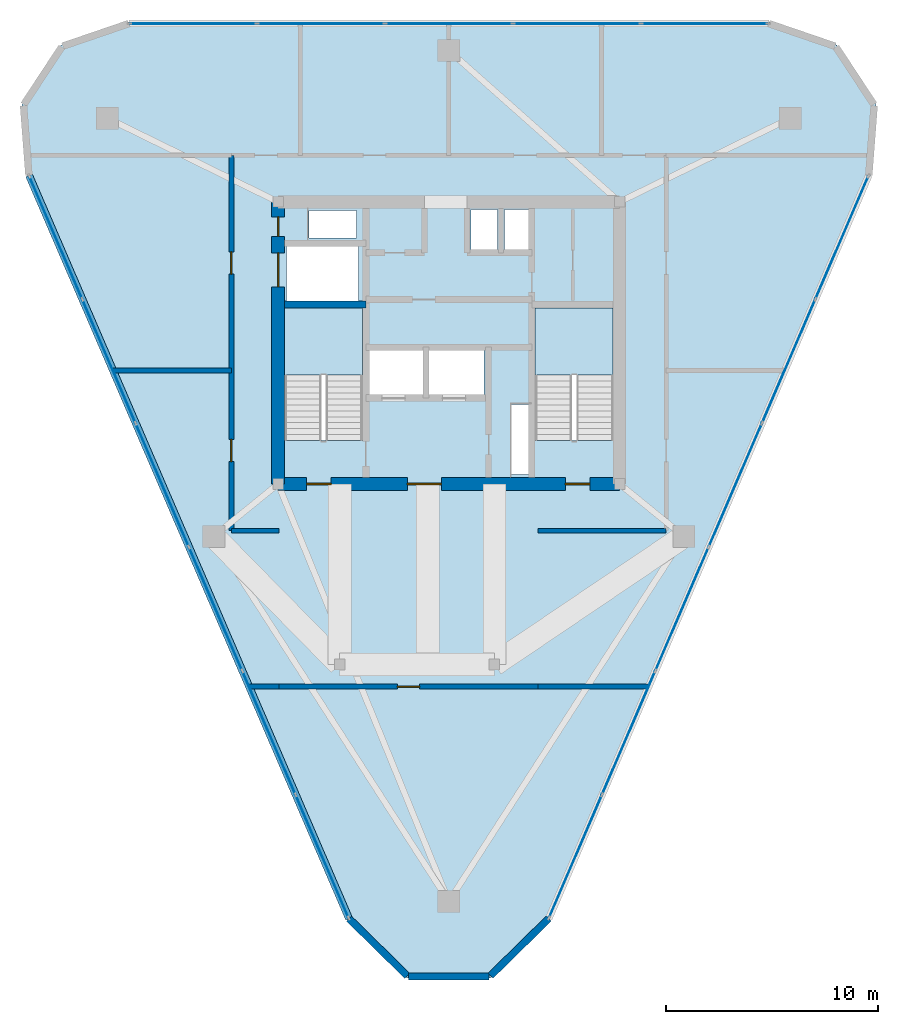
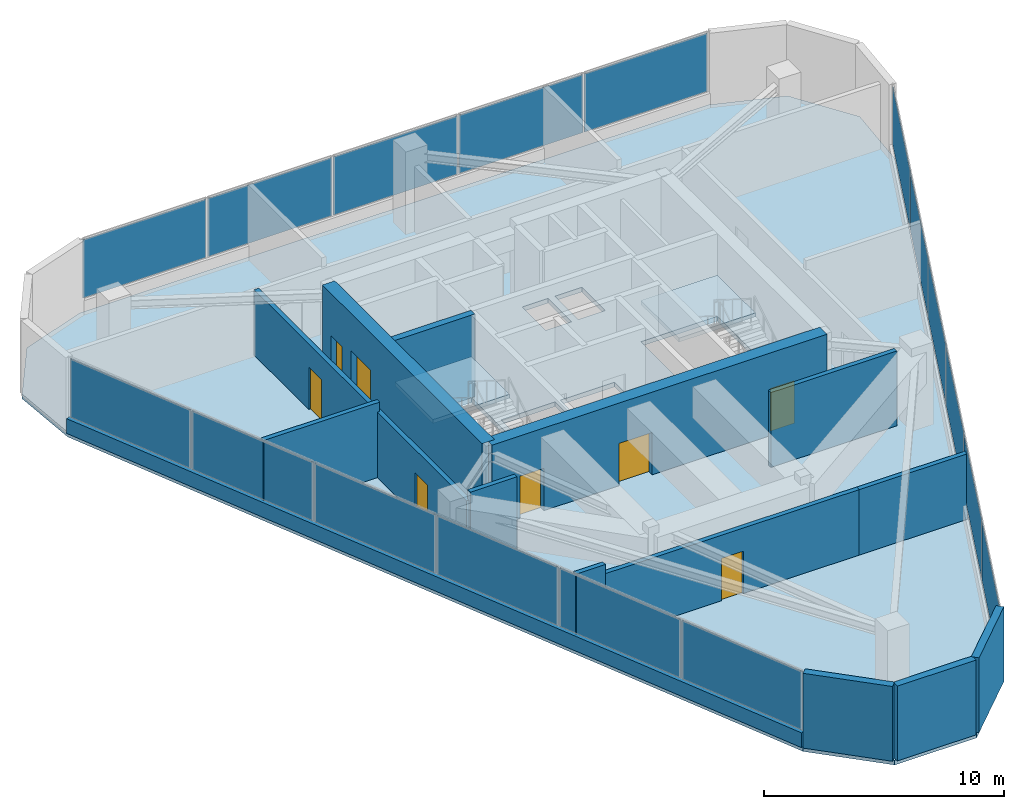
# One storey, part 4 of 7: 17 plates, 14 walls, 8 doors, 3 slabs, 8 openings, 5 elements without a shape of their own.
"""IFC4 building model written with IfcOpenShell, lengths in metres."""

from ifc_helpers import new_model, si_unit, direction, frame, frame_2d, origin, origin_2d, place, context, subcontext, project, spatial, polyline, rectangle, outline, extrude, material, layer, layer_set, type_object, element, fill, aggregate, save


model = new_model("IFC4")

# Units and contexts
model_context = context("Model", 3, precision=1e-05, world=origin(), true_north=direction((0.0, 1.0)))
body_context = subcontext(model_context, "Body", "Model", "MODEL_VIEW")
ifc_project = project(units=[si_unit("LENGTHUNIT", "METRE"), si_unit("AREAUNIT", "SQUARE_METRE"), si_unit("VOLUMEUNIT", "CUBIC_METRE"), si_unit("PLANEANGLEUNIT", "RADIAN"), si_unit("MASSUNIT", "GRAM", prefix="KILO")], contexts=[model_context])

# Site, building, storey
site_placement = place(None, origin())
site = spatial("IfcSite", under=ifc_project, at=site_placement, CompositionType="ELEMENT")
building_placement = place(site_placement, origin())
building = spatial("IfcBuilding", under=site, at=building_placement, Name="Talyreon Biosciences Tower", CompositionType="ELEMENT")
storey_placement = place(building_placement, frame((0.0, 0.0, 313.0)))
storey = spatial("IfcBuildingStorey", under=building, at=storey_placement, Name="L83", CompositionType="ELEMENT", Elevation=313.0)

# Curtain wall, plates
ifc_material_1 = material(Name="Thermally broken aluminium and low-E glazing", Category="aluminium")
ifc_layer_1 = layer(ifc_material_1, 0.2099609375)
ifc_layer_set_1 = layer_set([ifc_layer_1], Name="Thermally broken aluminium and low-E glazing")
curtain_wall_type = type_object("IfcCurtainWallType", Name="CurtainWall_SlantedCrown", PredefinedType="NOTDEFINED", material=ifc_layer_set_1)
curtain_wall_1_placement = place(storey_placement, origin())
curtain_wall_1 = element("IfcCurtainWall", 1, at=curtain_wall_1_placement, inside=storey, type_object=curtain_wall_type, Name="L83 Unitised Curtain Wall FCW-L83-03C", PredefinedType="NOTDEFINED")
ifc_material_2 = material(Name="Acoustic laminated low-E insulated glazing", Category="glass")
ifc_layer_2 = layer(ifc_material_2, 0.0380859375)
ifc_layer_set_2 = layer_set([ifc_layer_2], Name="Acoustic laminated low-E insulated glazing")
plate_type = type_object("IfcPlateType", Name="CWGlazingPanel_38", PredefinedType="CURTAIN_PANEL", material=ifc_layer_set_2)
plate_1_placement = place(storey_placement, frame((53.949462890625, 83.058837890625, 0.77490234375), z_axis=(0.0, 0.0, 1.0), x_axis=(1.0, 0.0, 0.0)))
plate_1 = element("IfcPlate", 2, at=plate_1_placement, type_object=plate_type, Name="CW8 panel 1.1", PredefinedType="CURTAIN_PANEL", context=body_context, shape_type="SweptSolid", body=[
    extrude(rectangle(XDim=5.922119140625, YDim=0.0380859375, at=origin_2d()), origin(), (0.0, 0.0, 1.0), 2.9599609375),
])
plate_2_placement = place(storey_placement, frame((59.96533203125, 83.058837890625, 0.77490234375), z_axis=(0.0, 0.0, 1.0), x_axis=(1.0, 0.0, 0.0)))
plate_2 = element("IfcPlate", 3, at=plate_2_placement, type_object=plate_type, Name="CW8 panel 2.1", PredefinedType="CURTAIN_PANEL", context=body_context, shape_type="SweptSolid", body=[
    extrude(rectangle(XDim=5.959716796875, YDim=0.0380859375, at=origin_2d()), origin(), (0.0, 0.0, 1.0), 2.9599609375),
])
plate_3_placement = place(storey_placement, frame((66.0, 83.058837890625, 0.77490234375), z_axis=(0.0, 0.0, 1.0), x_axis=(1.0, 0.0, 0.0)))
plate_3 = element("IfcPlate", 4, at=plate_3_placement, type_object=plate_type, Name="CW8 panel 3.1", PredefinedType="CURTAIN_PANEL", context=body_context, shape_type="SweptSolid", body=[
    extrude(rectangle(XDim=5.959716796875, YDim=0.0380859375, at=origin_2d()), origin(), (0.0, 0.0, 1.0), 2.9599609375),
])
plate_4_placement = place(storey_placement, frame((72.03466796875, 83.058837890625, 0.77490234375), z_axis=(0.0, 0.0, 1.0), x_axis=(1.0, 0.0, 0.0)))
plate_4 = element("IfcPlate", 5, at=plate_4_placement, type_object=plate_type, Name="CW8 panel 4.1", PredefinedType="CURTAIN_PANEL", context=body_context, shape_type="SweptSolid", body=[
    extrude(rectangle(XDim=5.959716796875, YDim=0.0380859375, at=origin_2d()), origin(), (0.0, 0.0, 1.0), 2.9599609375),
])
plate_5_placement = place(storey_placement, frame((78.050537109375, 83.058837890625, 0.77490234375), z_axis=(0.0, 0.0, 1.0), x_axis=(1.0, 0.0, 0.0)))
plate_5 = element("IfcPlate", 6, at=plate_5_placement, type_object=plate_type, Name="CW8 panel 5.1", PredefinedType="CURTAIN_PANEL", context=body_context, shape_type="SweptSolid", body=[
    extrude(rectangle(XDim=5.922119140625, YDim=0.0380859375, at=origin_2d()), origin(), (0.0, 0.0, 1.0), 2.9599609375),
])
aggregate(curtain_wall_1, [plate_1, plate_2, plate_3, plate_4, plate_5])

curtain_wall_2_placement = place(storey_placement, origin())
curtain_wall_2 = element("IfcCurtainWall", 7, at=curtain_wall_2_placement, inside=storey, type_object=curtain_wall_type, Name="L83 Unitised Curtain Wall FCW-L83-07C", PredefinedType="NOTDEFINED")
plate_6_placement = place(storey_placement, frame((84.53271484375, 72.96435546875, 0.77490234375), z_axis=(0.0, 0.0, 1.0), x_axis=(-0.395450642447, -0.918487228756, 0.0)))
plate_6 = element("IfcPlate", 8, at=plate_6_placement, type_object=plate_type, Name="CW8 panel 1.1", PredefinedType="CURTAIN_PANEL", context=body_context, shape_type="SweptSolid", body=[
    extrude(rectangle(XDim=6.246826171875, YDim=0.0380859375, at=origin_2d()), origin(), (0.0, 0.0, 1.0), 2.9599609375),
])
plate_7_placement = place(storey_placement, frame((82.025146484375, 67.140625, 0.77490234375), z_axis=(0.0, 0.0, 1.0), x_axis=(-0.395450642447, -0.918487228756, 0.0)))
plate_7 = element("IfcPlate", 9, at=plate_7_placement, type_object=plate_type, Name="CW8 panel 2.1", PredefinedType="CURTAIN_PANEL", context=body_context, shape_type="SweptSolid", body=[
    extrude(rectangle(XDim=6.2841796875, YDim=0.0380859375, at=origin_2d()), origin(), (0.0, 0.0, 1.0), 2.9599609375),
])
plate_8_placement = place(storey_placement, frame((79.510498046875, 61.2998046875, 0.77490234375), z_axis=(0.0, 0.0, 1.0), x_axis=(-0.395450642447, -0.918487228756, 0.0)))
plate_8 = element("IfcPlate", 10, at=plate_8_placement, type_object=plate_type, Name="CW8 panel 3.1", PredefinedType="CURTAIN_PANEL", context=body_context, shape_type="SweptSolid", body=[
    extrude(rectangle(XDim=6.2841796875, YDim=0.0380859375, at=origin_2d()), origin(), (0.0, 0.0, 1.0), 2.9599609375),
])
plate_9_placement = place(storey_placement, frame((76.99560546875, 55.458740234375, 0.77490234375), z_axis=(0.0, 0.0, 1.0), x_axis=(-0.395450642447, -0.918487228756, 0.0)))
plate_9 = element("IfcPlate", 11, at=plate_9_placement, type_object=plate_type, Name="CW8 panel 4.1", PredefinedType="CURTAIN_PANEL", context=body_context, shape_type="SweptSolid", body=[
    extrude(rectangle(XDim=6.2841796875, YDim=0.0380859375, at=origin_2d()), origin(), (0.0, 0.0, 1.0), 2.9599609375),
])
plate_10_placement = place(storey_placement, frame((74.48095703125, 49.617919921875, 0.77490234375), z_axis=(0.0, 0.0, 1.0), x_axis=(-0.395450642447, -0.918487228756, 0.0)))
plate_10 = element("IfcPlate", 12, at=plate_10_placement, type_object=plate_type, Name="CW8 panel 5.1", PredefinedType="CURTAIN_PANEL", context=body_context, shape_type="SweptSolid", body=[
    extrude(rectangle(XDim=6.2841796875, YDim=0.0380859375, at=origin_2d()), origin(), (0.0, 0.0, 1.0), 2.9599609375),
])
plate_11_placement = place(storey_placement, frame((71.9736328125, 43.794189453125, 0.77490234375), z_axis=(0.0, 0.0, 1.0), x_axis=(-0.395450642447, -0.918487228756, 0.0)))
plate_11 = element("IfcPlate", 13, at=plate_11_placement, type_object=plate_type, Name="CW8 panel 6.1", PredefinedType="CURTAIN_PANEL", context=body_context, shape_type="SweptSolid", body=[
    extrude(rectangle(XDim=6.246826171875, YDim=0.0380859375, at=origin_2d()), origin(), (0.0, 0.0, 1.0), 2.9599609375),
])
aggregate(curtain_wall_2, [plate_6, plate_7, plate_8, plate_9, plate_10, plate_11])

curtain_wall_3_placement = place(storey_placement, origin())
curtain_wall_3 = element("IfcCurtainWall", 14, at=curtain_wall_3_placement, inside=storey, type_object=curtain_wall_type, Name="L83 Unitised Curtain Wall FCW-L83-11C", PredefinedType="NOTDEFINED")
plate_12_placement = place(storey_placement, frame((60.0263671875, 43.794189453125, 0.77490234375), z_axis=(0.0, 0.0, 1.0), x_axis=(-0.395450642447, 0.918487228756, 0.0)))
plate_12 = element("IfcPlate", 15, at=plate_12_placement, type_object=plate_type, Name="CW8 panel 1.1", PredefinedType="CURTAIN_PANEL", context=body_context, shape_type="SweptSolid", body=[
    extrude(rectangle(XDim=6.246826171875, YDim=0.0380859375, at=origin_2d()), origin(), (0.0, 0.0, 1.0), 2.9599609375),
])
plate_13_placement = place(storey_placement, frame((57.51904296875, 49.617919921875, 0.77490234375), z_axis=(0.0, 0.0, 1.0), x_axis=(-0.395450642447, 0.918487228756, 0.0)))
plate_13 = element("IfcPlate", 16, at=plate_13_placement, type_object=plate_type, Name="CW8 panel 2.1", PredefinedType="CURTAIN_PANEL", context=body_context, shape_type="SweptSolid", body=[
    extrude(rectangle(XDim=6.2841796875, YDim=0.0380859375, at=origin_2d()), origin(), (0.0, 0.0, 1.0), 2.9599609375),
])
plate_14_placement = place(storey_placement, frame((55.00439453125, 55.458740234375, 0.77490234375), z_axis=(0.0, 0.0, 1.0), x_axis=(-0.395450642447, 0.918487228756, 0.0)))
plate_14 = element("IfcPlate", 17, at=plate_14_placement, type_object=plate_type, Name="CW8 panel 3.1", PredefinedType="CURTAIN_PANEL", context=body_context, shape_type="SweptSolid", body=[
    extrude(rectangle(XDim=6.2841796875, YDim=0.0380859375, at=origin_2d()), origin(), (0.0, 0.0, 1.0), 2.9599609375),
])
plate_15_placement = place(storey_placement, frame((52.489501953125, 61.2998046875, 0.77490234375), z_axis=(0.0, 0.0, 1.0), x_axis=(-0.395450642447, 0.918487228756, 0.0)))
plate_15 = element("IfcPlate", 18, at=plate_15_placement, type_object=plate_type, Name="CW8 panel 4.1", PredefinedType="CURTAIN_PANEL", context=body_context, shape_type="SweptSolid", body=[
    extrude(rectangle(XDim=6.2841796875, YDim=0.0380859375, at=origin_2d()), origin(), (0.0, 0.0, 1.0), 2.9599609375),
])
plate_16_placement = place(storey_placement, frame((49.974853515625, 67.140625, 0.77490234375), z_axis=(0.0, 0.0, 1.0), x_axis=(-0.395450642447, 0.918487228756, 0.0)))
plate_16 = element("IfcPlate", 19, at=plate_16_placement, type_object=plate_type, Name="CW8 panel 5.1", PredefinedType="CURTAIN_PANEL", context=body_context, shape_type="SweptSolid", body=[
    extrude(rectangle(XDim=6.2841796875, YDim=0.0380859375, at=origin_2d()), origin(), (0.0, 0.0, 1.0), 2.9599609375),
])
plate_17_placement = place(storey_placement, frame((47.46728515625, 72.96435546875, 0.77490234375), z_axis=(0.0, 0.0, 1.0), x_axis=(-0.395450642447, 0.918487228756, 0.0)))
plate_17 = element("IfcPlate", 20, at=plate_17_placement, type_object=plate_type, Name="CW8 panel 6.1", PredefinedType="CURTAIN_PANEL", context=body_context, shape_type="SweptSolid", body=[
    extrude(rectangle(XDim=6.246826171875, YDim=0.0380859375, at=origin_2d()), origin(), (0.0, 0.0, 1.0), 2.9599609375),
])
aggregate(curtain_wall_3, [plate_12, plate_13, plate_14, plate_15, plate_16, plate_17])

# Slab
ifc_material_3 = material(Name="Concrete C40/50", Category="concrete")
ifc_layer_3 = layer(ifc_material_3, 0.235107421875)
ifc_layer_set_3 = layer_set([ifc_layer_3], Name="Concrete C40/50")
slab_type_1 = type_object("IfcSlabType", Name="CrownPlantSlab_235", PredefinedType="FLOOR", material=ifc_layer_set_3)
slab_1_placement = place(storey_placement, frame((0.0, 0.0, -0.235107421875)))
element("IfcSlab", 21, at=slab_1_placement, inside=storey, type_object=slab_type_1, Name="L83 Structural Floor Slab", PredefinedType="FLOOR", context=body_context, shape_type="SweptSolid", body=[
    extrude(outline(polyline([(46.123779296875, 75.882568359375), (45.864990234375, 79.23828125), (47.71533203125, 82.049560546875), (50.89990234375, 83.138916015625), (81.10009765625, 83.138916015625), (84.28466796875, 82.049560546875), (86.135009765625, 79.23828125), (85.876220703125, 75.882568359375), (70.776123046875, 40.810546875), (67.9677734375, 38.053466796875), (64.0322265625, 38.053466796875), (61.223876953125, 40.810546875), (46.123779296875, 75.882568359375)]), holes=[polyline([(69.820068359375, 65.10009765625), (69.820068359375, 61.800048828125), (68.9599609375, 61.800048828125), (68.9599609375, 65.10009765625), (69.820068359375, 65.10009765625)]), polyline([(61.929931640625, 69.64990234375), (61.929931640625, 63.407958984375), (58.25, 63.407958984375), (58.25, 69.64990234375), (61.929931640625, 69.64990234375)]), polyline([(73.75, 69.64990234375), (73.75, 63.407958984375), (70.070068359375, 63.407958984375), (70.070068359375, 69.64990234375), (73.75, 69.64990234375)]), polyline([(64.800048828125, 67.64990234375), (64.800048828125, 65.550048828125), (62.199951171875, 65.550048828125), (62.199951171875, 67.64990234375), (64.800048828125, 67.64990234375)]), polyline([(67.64990234375, 67.64990234375), (67.64990234375, 65.550048828125), (65.050048828125, 65.550048828125), (65.050048828125, 67.64990234375), (67.64990234375, 67.64990234375)]), polyline([(61.75, 72.550048828125), (61.75, 69.97998046875), (58.35009765625, 69.97998046875), (58.35009765625, 72.550048828125), (61.75, 72.550048828125)]), polyline([(68.300048828125, 74.300048828125), (68.300048828125, 72.35009765625), (67.050048828125, 72.35009765625), (67.050048828125, 74.300048828125), (68.300048828125, 74.300048828125)]), polyline([(69.919921875, 72.35009765625), (68.6201171875, 72.35009765625), (68.6201171875, 74.300048828125), (69.919921875, 74.300048828125), (69.919921875, 72.35009765625)]), polyline([(61.64990234375, 72.9599609375), (59.39990234375, 72.9599609375), (59.39990234375, 74.25), (61.64990234375, 74.25), (61.64990234375, 72.9599609375)])]), origin(), (0.0, 0.0, 1.0), 0.235107421875),
])

# Stair, slab
stair_type = type_object("IfcStairType", Name="DoglegEscapeStair_4200", PredefinedType="HALF_TURN_STAIR", material=ifc_material_3)
stair_1_placement = place(storey_placement, origin())
stair_1 = element("IfcStair", 22, at=stair_1_placement, inside=storey, type_object=stair_type, Name="L83 Core Escape Stair 1", PredefinedType="HALF_TURN_STAIR")
ifc_layer_4 = layer(ifc_material_3, 0.199951171875)
ifc_layer_set_4 = layer_set([ifc_layer_4], Name="Concrete C40/50")
slab_type_2 = type_object("IfcSlabType", Name="StairLandingSlab_200", PredefinedType="LANDING", material=ifc_layer_set_4)
slab_2_placement = place(storey_placement, frame((0.0, 0.0, 1.89990234375)))
slab_2 = element("IfcSlab", 23, at=slab_2_placement, type_object=slab_type_2, Name="ST-1 landing 1", PredefinedType="LANDING", context=body_context, shape_type="SweptSolid", body=[
    extrude(outline(polyline([(61.929931640625, 66.47998046875), (61.929931640625, 69.64990234375), (58.25, 69.64990234375), (58.25, 66.47998046875), (61.929931640625, 66.47998046875)])), origin(), (0.0, 0.0, 1.0), 0.2001953125),
])
aggregate(stair_1, [slab_2])

stair_2_placement = place(storey_placement, origin())
stair_2 = element("IfcStair", 24, at=stair_2_placement, inside=storey, type_object=stair_type, Name="L83 Core Escape Stair 2", PredefinedType="HALF_TURN_STAIR")
slab_3_placement = place(storey_placement, frame((0.0, 0.0, 1.89990234375)))
slab_3 = element("IfcSlab", 25, at=slab_3_placement, type_object=slab_type_2, Name="ST-2 landing 1", PredefinedType="LANDING", context=body_context, shape_type="SweptSolid", body=[
    extrude(outline(polyline([(73.75, 66.47998046875), (73.75, 69.64990234375), (70.070068359375, 69.64990234375), (70.070068359375, 66.47998046875), (73.75, 66.47998046875)])), origin(), (0.0, 0.0, 1.0), 0.2001953125),
])
aggregate(stair_2, [slab_3])

# Wall
ifc_material_4 = material(Name="Concrete C50/60", Category="concrete")
ifc_layer_5 = layer(ifc_material_4, 0.320068359375)
ifc_layer_set_5 = layer_set([ifc_layer_5], Name="Concrete C50/60")
wall_type_1 = type_object("IfcWallType", Name="CoreShearWall_320", PredefinedType="SHEAR", material=ifc_layer_set_5)
wall_1_placement = place(storey_placement, frame((58.25, 69.81005859375, 0.0), z_axis=(0.0, 0.0, 1.0), x_axis=(1.0, 0.0, 0.0)))
element("IfcWall", 26, at=wall_1_placement, inside=storey, type_object=wall_type_1, Name="L83 Core Shaft Wall SW1N", PredefinedType="SHEAR", context=body_context, shape_type="SweptSolid", body=[
    extrude(rectangle(XDim=3.840087890625, YDim=0.320068359375, at=frame_2d((1.919921875, 0.0))), origin(), (0.0, 0.0, 1.0), 4.199951171875),
])

# Wall, openings, doors
ifc_layer_6 = layer(ifc_material_4, 0.60009765625)
ifc_layer_set_6 = layer_set([ifc_layer_6], Name="Concrete C50/60")
wall_type_2 = type_object("IfcWallType", Name="CoreShearWall_600", PredefinedType="SHEAR", material=ifc_layer_set_6)
wall_2_placement = place(storey_placement, frame((57.949951171875, 61.35009765625, 0.0), z_axis=(0.0, 0.0, 1.0), x_axis=(1.0, 0.0, 0.0)))
wall_2 = element("IfcWall", 27, at=wall_2_placement, inside=storey, type_object=wall_type_2, Name="L83 Core Shear Wall S", PredefinedType="SHEAR", context=body_context, shape_type="SweptSolid", body=[
    extrude(rectangle(XDim=16.10009765625, YDim=0.60009765625, at=frame_2d((8.050048828125, 0.0))), origin(), (0.0, 0.0, 1.0), 4.199951171875),
])
opening_1_placement = place(wall_2_placement, frame((1.35009765625, 0.0, 0.0)))
opening_1 = element("IfcOpeningElement", 28, at=opening_1_placement, cuts=wall_2, Name="Opening DR-L83-ST1", PredefinedType="OPENING", context=body_context, shape_type="SweptSolid", body=[
    extrude(rectangle(XDim=1.14990234375, YDim=2.14990234375, at=frame_2d((0.574951171875, 1.074951171875))), frame((0.0, 0.31005859375, 0.0), z_axis=(0.0, -1.0, 0.0), x_axis=(1.0, 0.0, 0.0)), (0.0, 0.0, 1.0), 0.6201171875),
])
opening_2_placement = place(wall_2_placement, frame((6.10009765625, 0.0, 0.0)))
opening_2 = element("IfcOpeningElement", 29, at=opening_2_placement, cuts=wall_2, Name="Opening DR-L83-FFL", PredefinedType="OPENING", context=body_context, shape_type="SweptSolid", body=[
    extrude(rectangle(XDim=1.60009765625, YDim=2.14990234375, at=frame_2d((0.800048828125, 1.074951171875))), frame((0.0, 0.31005859375, 0.0), z_axis=(0.0, -1.0, 0.0), x_axis=(1.0, 0.0, 0.0)), (0.0, 0.0, 1.0), 0.6201171875),
])
opening_3_placement = place(wall_2_placement, frame((13.550048828125, 0.0, 0.0)))
opening_3 = element("IfcOpeningElement", 30, at=opening_3_placement, cuts=wall_2, Name="Opening DR-L83-ST2", PredefinedType="OPENING", context=body_context, shape_type="SweptSolid", body=[
    extrude(rectangle(XDim=1.14990234375, YDim=2.14990234375, at=frame_2d((0.574951171875, 1.074951171875))), frame((0.0, 0.31005859375, 0.0), z_axis=(0.0, -1.0, 0.0), x_axis=(1.0, 0.0, 0.0)), (0.0, 0.0, 1.0), 0.6201171875),
])
ifc_material_5 = material(Name="Painted steel smoke-seal fire door", Category="steel")
door_type_1 = type_object("IfcDoorType", Name="FirefightingLobbyDoubleDoor_1600x2150", OperationType="DOUBLE_DOOR_SINGLE_SWING", PredefinedType="DOOR", material=ifc_material_5)
door_1_placement = place(opening_2_placement, origin())
door_1 = element("IfcDoor", 31, at=door_1_placement, inside=storey, type_object=door_type_1, Name="L83 Core Door DR-L83-FFL", OperationType="DOUBLE_DOOR_SINGLE_SWING", OverallHeight=2.14990234375, OverallWidth=1.60009765625, PredefinedType="DOOR", context=body_context, shape_type="SweptSolid", body=[
    extrude(rectangle(XDim=1.60009765625, YDim=2.14990234375, at=frame_2d((0.800048828125, 1.074951171875))), frame((0.0, 0.02490234375, 0.0), z_axis=(0.0, -1.0, 0.0), x_axis=(1.0, 0.0, 0.0)), (0.0, 0.0, 1.0), 0.050048828125),
])
fill(opening_2, door_1)
ifc_material_6 = material(Name="Painted steel fire door", Category="steel")
door_type_2 = type_object("IfcDoorType", Name="StairShaftFireDoor_1150x2150", OperationType="NOTDEFINED", PredefinedType="DOOR", material=ifc_material_6)
door_2_placement = place(opening_1_placement, origin())
door_2 = element("IfcDoor", 32, at=door_2_placement, inside=storey, type_object=door_type_2, Name="L83 Core Door DR-L83-ST1", OperationType="SINGLE_SWING_LEFT", OverallHeight=2.14990234375, OverallWidth=1.14990234375, PredefinedType="DOOR", context=body_context, shape_type="SweptSolid", body=[
    extrude(rectangle(XDim=1.14990234375, YDim=2.14990234375, at=frame_2d((0.574951171875, 1.074951171875))), frame((0.0, 0.02490234375, 0.0), z_axis=(0.0, -1.0, 0.0), x_axis=(1.0, 0.0, 0.0)), (0.0, 0.0, 1.0), 0.050048828125),
])
fill(opening_1, door_2)
door_3_placement = place(opening_3_placement, origin())
door_3 = element("IfcDoor", 33, at=door_3_placement, inside=storey, type_object=door_type_2, Name="L83 Core Door DR-L83-ST2", OperationType="SINGLE_SWING_RIGHT", OverallHeight=2.14990234375, OverallWidth=1.14990234375, PredefinedType="DOOR", context=body_context, shape_type="SweptSolid", body=[
    extrude(rectangle(XDim=1.14990234375, YDim=2.14990234375, at=frame_2d((0.574951171875, 1.074951171875))), frame((0.0, 0.02490234375, 0.0), z_axis=(0.0, -1.0, 0.0), x_axis=(1.0, 0.0, 0.0)), (0.0, 0.0, 1.0), 0.050048828125),
])
fill(opening_3, door_3)

wall_3_placement = place(storey_placement, frame((57.949951171875, 74.64990234375, 0.0), z_axis=(0.0, 0.0, 1.0), x_axis=(0.0, -1.0, 0.0)))
wall_3 = element("IfcWall", 34, at=wall_3_placement, inside=storey, type_object=wall_type_2, Name="L83 Core Shear Wall W", PredefinedType="SHEAR", context=body_context, shape_type="SweptSolid", body=[
    extrude(rectangle(XDim=13.2998046875, YDim=0.60009765625, at=frame_2d((6.64990234375, 0.0))), origin(), (0.0, 0.0, 1.0), 4.199951171875),
])
opening_4_placement = place(wall_3_placement, frame((0.699951171875, 0.0, 0.0)))
opening_4 = element("IfcOpeningElement", 35, at=opening_4_placement, cuts=wall_3, Name="Opening DR-L83-RSW", PredefinedType="OPENING", context=body_context, shape_type="SweptSolid", body=[
    extrude(rectangle(XDim=0.919921875, YDim=2.050048828125, at=frame_2d((0.4599609375, 1.02490234375))), frame((0.0, 0.31005859375, 0.0), z_axis=(0.0, -1.0, 0.0), x_axis=(1.0, 0.0, 0.0)), (0.0, 0.0, 1.0), 0.6201171875),
])
opening_5_placement = place(wall_3_placement, frame((2.39990234375, 0.0, 0.0)))
opening_5 = element("IfcOpeningElement", 36, at=opening_5_placement, cuts=wall_3, Name="Opening LD-L83-GL1", PredefinedType="OPENING", context=body_context, shape_type="SweptSolid", body=[
    extrude(rectangle(XDim=1.60009765625, YDim=2.300048828125, at=frame_2d((0.800048828125, 1.14990234375))), frame((0.0, 0.31005859375, 0.0), z_axis=(0.0, -1.0, 0.0), x_axis=(1.0, 0.0, 0.0)), (0.0, 0.0, 1.0), 0.6201171875),
])
ifc_material_7 = material(Name="Heavy-duty stainless-steel goods lift door", Category="steel")
door_type_3 = type_object("IfcDoorType", Name="GoodsLiftSlidingDoor_1600x2300", OperationType="DOUBLE_DOOR_SLIDING", PredefinedType="DOOR", material=ifc_material_7)
door_4_placement = place(opening_5_placement, origin())
door_4 = element("IfcDoor", 37, at=door_4_placement, inside=storey, type_object=door_type_3, Name="L83 Core Door LD-L83-GL1", OperationType="DOUBLE_DOOR_SLIDING", OverallHeight=2.300048828125, OverallWidth=1.60009765625, PredefinedType="DOOR", context=body_context, shape_type="SweptSolid", body=[
    extrude(rectangle(XDim=1.60009765625, YDim=2.300048828125, at=frame_2d((0.800048828125, 1.14990234375))), frame((0.0, 0.02490234375, 0.0), z_axis=(0.0, -1.0, 0.0), x_axis=(1.0, 0.0, 0.0)), (0.0, 0.0, 1.0), 0.050048828125),
])
fill(opening_5, door_4)
ifc_material_8 = material(Name="Painted steel fire-rated riser door", Category="steel")
door_type_4 = type_object("IfcDoorType", Name="RiserPlantAccessDoor_920x2050", OperationType="NOTDEFINED", PredefinedType="DOOR", material=ifc_material_8)
door_5_placement = place(opening_4_placement, origin())
door_5 = element("IfcDoor", 38, at=door_5_placement, inside=storey, type_object=door_type_4, Name="L83 Core Door DR-L83-RSW", OperationType="SINGLE_SWING_LEFT", OverallHeight=2.050048828125, OverallWidth=0.919921875, PredefinedType="DOOR", context=body_context, shape_type="SweptSolid", body=[
    extrude(rectangle(XDim=0.919921875, YDim=2.050048828125, at=frame_2d((0.4599609375, 1.02490234375))), frame((0.0, 0.02490234375, 0.0), z_axis=(0.0, -1.0, 0.0), x_axis=(1.0, 0.0, 0.0)), (0.0, 0.0, 1.0), 0.050048828125),
])
fill(opening_4, door_5)

# Walls
ifc_material_9 = material(Name="Gypsum fireboard acoustic stud", Category="gypsum")
ifc_layer_7 = layer(ifc_material_9, 0.219970703125)
ifc_layer_set_7 = layer_set([ifc_layer_7], Name="Gypsum fireboard acoustic stud")
wall_type_3 = type_object("IfcWallType", Name="CorridorRatedPartition_220", PredefinedType="PARTITIONING", material=ifc_layer_set_7)
wall_4_placement = place(storey_placement, frame((50.169921875, 66.699951171875, 0.0), z_axis=(0.0, 0.0, 1.0), x_axis=(1.0, 0.0, 0.0)))
element("IfcWall", 39, at=wall_4_placement, inside=storey, type_object=wall_type_3, Name="L83 Interior Wall IW-L83-WD1", PredefinedType="PARTITIONING", context=body_context, shape_type="SweptSolid", body=[
    extrude(rectangle(XDim=5.580078125, YDim=0.219970703125, at=frame_2d((2.7900390625, 0.0))), origin(), (0.0, 0.0, 1.0), 3.800048828125),
])
wall_5_placement = place(storey_placement, frame((55.75, 59.14990234375, 0.0), z_axis=(0.0, 0.0, 1.0), x_axis=(1.0, 0.0, 0.0)))
element("IfcWall", 40, at=wall_5_placement, inside=storey, type_object=wall_type_3, Name="L83 Interior Wall IW-L83-PC-SW", PredefinedType="PARTITIONING", context=body_context, shape_type="SweptSolid", body=[
    extrude(rectangle(XDim=2.25, YDim=0.219970703125, at=frame_2d((1.125, 0.0))), origin(), (0.0, 0.0, 1.0), 3.800048828125),
])
wall_6_placement = place(storey_placement, frame((70.199951171875, 59.14990234375, 0.0), z_axis=(0.0, 0.0, 1.0), x_axis=(1.0, 0.0, 0.0)))
element("IfcWall", 41, at=wall_6_placement, inside=storey, type_object=wall_type_3, Name="L83 Interior Wall IW-L83-PC-SE", PredefinedType="PARTITIONING", context=body_context, shape_type="SweptSolid", body=[
    extrude(rectangle(XDim=6.050048828125, YDim=0.219970703125, at=frame_2d((3.02490234375, 0.0))), origin(), (0.0, 0.0, 1.0), 3.800048828125),
])

# Wall, opening, door
wall_7_placement = place(storey_placement, frame((58.0, 51.800048828125, 0.0), z_axis=(0.0, 0.0, 1.0), x_axis=(1.0, 0.0, 0.0)))
wall_7 = element("IfcWall", 42, at=wall_7_placement, inside=storey, type_object=wall_type_3, Name="L83 Interior Wall IW-L83-ST4S", PredefinedType="PARTITIONING", context=body_context, shape_type="SweptSolid", body=[
    extrude(rectangle(XDim=12.199951171875, YDim=0.219970703125, at=frame_2d((6.10009765625, 0.0))), origin(), (0.0, 0.0, 1.0), 3.330078125),
])
opening_6_placement = place(wall_7_placement, frame((5.574951171875, 0.0, 0.0)))
opening_6 = element("IfcOpeningElement", 43, at=opening_6_placement, cuts=wall_7, Name="Opening DR-L83-PL-S", PredefinedType="OPENING", context=body_context, shape_type="SweptSolid", body=[
    extrude(rectangle(XDim=1.050048828125, YDim=2.14990234375, at=frame_2d((0.52490234375, 1.074951171875))), frame((0.0, 0.119873046875, 0.0), z_axis=(0.0, -1.0, 0.0), x_axis=(1.0, 0.0, 0.0)), (0.0, 0.0, 1.0), 0.239990234375),
])
ifc_material_10 = material(Name="Acoustic timber-core laboratory door", Category="wood")
door_type_5 = type_object("IfcDoorType", Name="DryLabSingleDoor_1050x2150", OperationType="NOTDEFINED", PredefinedType="DOOR", material=ifc_material_10)
door_6_placement = place(opening_6_placement, origin())
door_6 = element("IfcDoor", 44, at=door_6_placement, inside=storey, type_object=door_type_5, Name="L83 Interior Door DR-L83-PL-S", OperationType="SINGLE_SWING_LEFT", OverallHeight=2.14990234375, OverallWidth=1.050048828125, PredefinedType="DOOR", context=body_context, shape_type="SweptSolid", body=[
    extrude(rectangle(XDim=1.050048828125, YDim=2.14990234375, at=frame_2d((0.52490234375, 1.074951171875))), frame((0.0, 0.02490234375, 0.0), z_axis=(0.0, -1.0, 0.0), x_axis=(1.0, 0.0, 0.0)), (0.0, 0.0, 1.0), 0.050048828125),
])
fill(opening_6, door_6)

# Walls
wall_8_placement = place(storey_placement, frame((56.5849609375, 51.800048828125, 0.0), z_axis=(0.0, 0.0, 1.0), x_axis=(1.0, 0.0, 0.0)))
element("IfcWall", 45, at=wall_8_placement, inside=storey, type_object=wall_type_3, Name="L83 Interior Wall IW-L83-SDIV-W", PredefinedType="PARTITIONING", context=body_context, shape_type="SweptSolid", body=[
    extrude(rectangle(XDim=1.4150390625, YDim=0.219970703125, at=frame_2d((0.70751953125, 0.0))), origin(), (0.0, 0.0, 1.0), 3.800048828125),
])
wall_9_placement = place(storey_placement, frame((70.199951171875, 51.800048828125, 0.0), z_axis=(0.0, 0.0, 1.0), x_axis=(1.0, 0.0, 0.0)))
element("IfcWall", 46, at=wall_9_placement, inside=storey, type_object=wall_type_3, Name="L83 Interior Wall IW-L83-SDIV-E", PredefinedType="PARTITIONING", context=body_context, shape_type="SweptSolid", body=[
    extrude(rectangle(XDim=5.215087890625, YDim=0.219970703125, at=frame_2d((2.607421875, 0.0))), origin(), (0.0, 0.0, 1.0), 3.330078125),
])

# Wall, openings, doors
wall_10_placement = place(storey_placement, frame((55.75, 59.14990234375, 0.0), z_axis=(0.0, 0.0, 1.0), x_axis=(0.0, 1.0, 0.0)))
wall_10 = element("IfcWall", 47, at=wall_10_placement, inside=storey, type_object=wall_type_3, Name="L83 Interior Wall IW-L83-PC-W", PredefinedType="PARTITIONING", context=body_context, shape_type="SweptSolid", body=[
    extrude(rectangle(XDim=17.7001953125, YDim=0.219970703125, at=frame_2d((8.85009765625, 0.0))), origin(), (0.0, 0.0, 1.0), 3.330078125),
])
opening_7_placement = place(wall_10_placement, frame((3.25, 0.0, 0.0)))
opening_7 = element("IfcOpeningElement", 48, at=opening_7_placement, cuts=wall_10, Name="Opening DR-L83-PL-WB", PredefinedType="OPENING", context=body_context, shape_type="SweptSolid", body=[
    extrude(rectangle(XDim=1.050048828125, YDim=2.14990234375, at=frame_2d((0.52490234375, 1.074951171875))), frame((0.0, 0.119873046875, 0.0), z_axis=(0.0, -1.0, 0.0), x_axis=(1.0, 0.0, 0.0)), (0.0, 0.0, 1.0), 0.239990234375),
])
opening_8_placement = place(wall_10_placement, frame((12.10009765625, 0.0, 0.0)))
opening_8 = element("IfcOpeningElement", 49, at=opening_8_placement, cuts=wall_10, Name="Opening DR-L83-PL-WA", PredefinedType="OPENING", context=body_context, shape_type="SweptSolid", body=[
    extrude(rectangle(XDim=1.050048828125, YDim=2.14990234375, at=frame_2d((0.52490234375, 1.074951171875))), frame((0.0, 0.119873046875, 0.0), z_axis=(0.0, -1.0, 0.0), x_axis=(1.0, 0.0, 0.0)), (0.0, 0.0, 1.0), 0.239990234375),
])
door_7_placement = place(opening_7_placement, origin())
door_7 = element("IfcDoor", 50, at=door_7_placement, inside=storey, type_object=door_type_5, Name="L83 Interior Door DR-L83-PL-WB", OperationType="SINGLE_SWING_RIGHT", OverallHeight=2.14990234375, OverallWidth=1.050048828125, PredefinedType="DOOR", context=body_context, shape_type="SweptSolid", body=[
    extrude(rectangle(XDim=1.050048828125, YDim=2.14990234375, at=frame_2d((0.52490234375, 1.074951171875))), frame((0.0, 0.02490234375, 0.0), z_axis=(0.0, -1.0, 0.0), x_axis=(1.0, 0.0, 0.0)), (0.0, 0.0, 1.0), 0.050048828125),
])
fill(opening_7, door_7)
door_8_placement = place(opening_8_placement, origin())
door_8 = element("IfcDoor", 51, at=door_8_placement, inside=storey, type_object=door_type_5, Name="L83 Interior Door DR-L83-PL-WA", OperationType="SINGLE_SWING_RIGHT", OverallHeight=2.14990234375, OverallWidth=1.050048828125, PredefinedType="DOOR", context=body_context, shape_type="SweptSolid", body=[
    extrude(rectangle(XDim=1.050048828125, YDim=2.14990234375, at=frame_2d((0.52490234375, 1.074951171875))), frame((0.0, 0.02490234375, 0.0), z_axis=(0.0, -1.0, 0.0), x_axis=(1.0, 0.0, 0.0)), (0.0, 0.0, 1.0), 0.050048828125),
])
fill(opening_8, door_8)

# Walls
ifc_material_11 = material(Name="Precast concrete C45/55", Category="concrete")
ifc_layer_8 = layer(ifc_material_11, 0.340087890625)
ifc_layer_set_8 = layer_set([ifc_layer_8], Name="Precast concrete C45/55")
wall_type_4 = type_object("IfcWallType", Name="PrecastConcreteSpandrelWall_340", PredefinedType="STANDARD", material=ifc_layer_set_8)
wall_11_placement = place(storey_placement, frame((70.708740234375, 40.856689453125, 0.0), z_axis=(0.0, 0.0, 1.0), x_axis=(-0.713578383516, -0.700575399639, 0.0)))
element("IfcWall", 52, at=wall_11_placement, inside=storey, type_object=wall_type_4, Name="L83 Stepped Crown Concrete Wall 08", PredefinedType="STANDARD", context=body_context, shape_type="SweptSolid", body=[
    extrude(rectangle(XDim=3.84912109375, YDim=0.340087890625, at=frame_2d((1.924560546875, 0.0))), origin(), (0.0, 0.0, 1.0), 3.800048828125),
])
wall_12_placement = place(storey_placement, frame((67.89697265625, 38.133544921875, 0.0), z_axis=(0.0, 0.0, 1.0), x_axis=(-1.0, 0.0, 0.0)))
element("IfcWall", 53, at=wall_12_placement, inside=storey, type_object=wall_type_4, Name="L83 Stepped Crown Concrete Wall 09", PredefinedType="STANDARD", context=body_context, shape_type="SweptSolid", body=[
    extrude(rectangle(XDim=3.7939453125, YDim=0.340087890625, at=frame_2d((1.89697265625, 0.0))), origin(), (0.0, 0.0, 1.0), 3.800048828125),
])
wall_13_placement = place(storey_placement, frame((64.037841796875, 38.16015625, 0.0), z_axis=(0.0, 0.0, 1.0), x_axis=(-0.713578383516, 0.700575399639, 0.0)))
element("IfcWall", 54, at=wall_13_placement, inside=storey, type_object=wall_type_4, Name="L83 Stepped Crown Concrete Wall 10", PredefinedType="STANDARD", context=body_context, shape_type="SweptSolid", body=[
    extrude(rectangle(XDim=3.84912109375, YDim=0.340087890625, at=frame_2d((1.924560546875, 0.0))), origin(), (0.0, 0.0, 1.0), 3.800048828125),
])
wall_14_placement = place(storey_placement, frame((61.291259765625, 40.856689453125, 0.0), z_axis=(0.0, 0.0, 1.0), x_axis=(-0.395452427469, 0.918486460221, 0.0)))
element("IfcWall", 55, at=wall_14_placement, inside=storey, type_object=wall_type_4, Name="L83 Stepped Crown Sill Wall 11", PredefinedType="STANDARD", context=body_context, shape_type="SweptSolid", body=[
    extrude(rectangle(XDim=38.1552734375, YDim=0.340087890625, at=frame_2d((19.07763671875, 0.0))), origin(), (0.0, 0.0, 1.0), 0.75),
])

save(model, "model.ifc")
